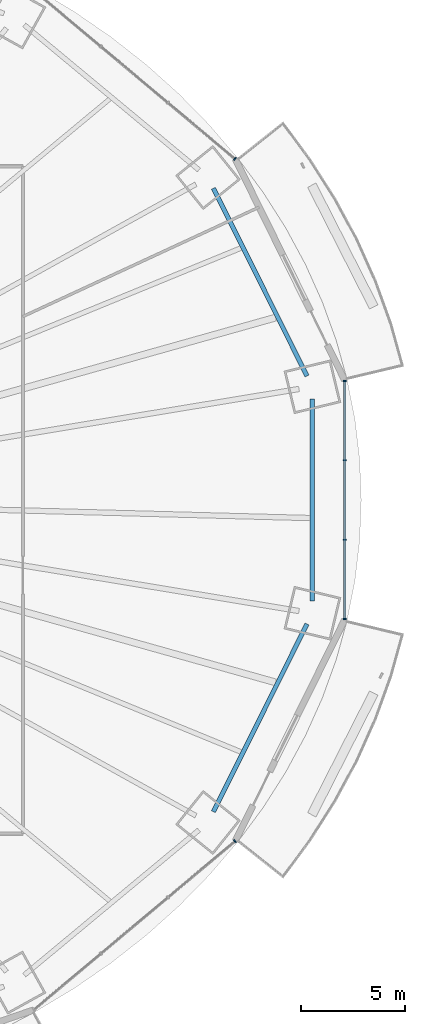
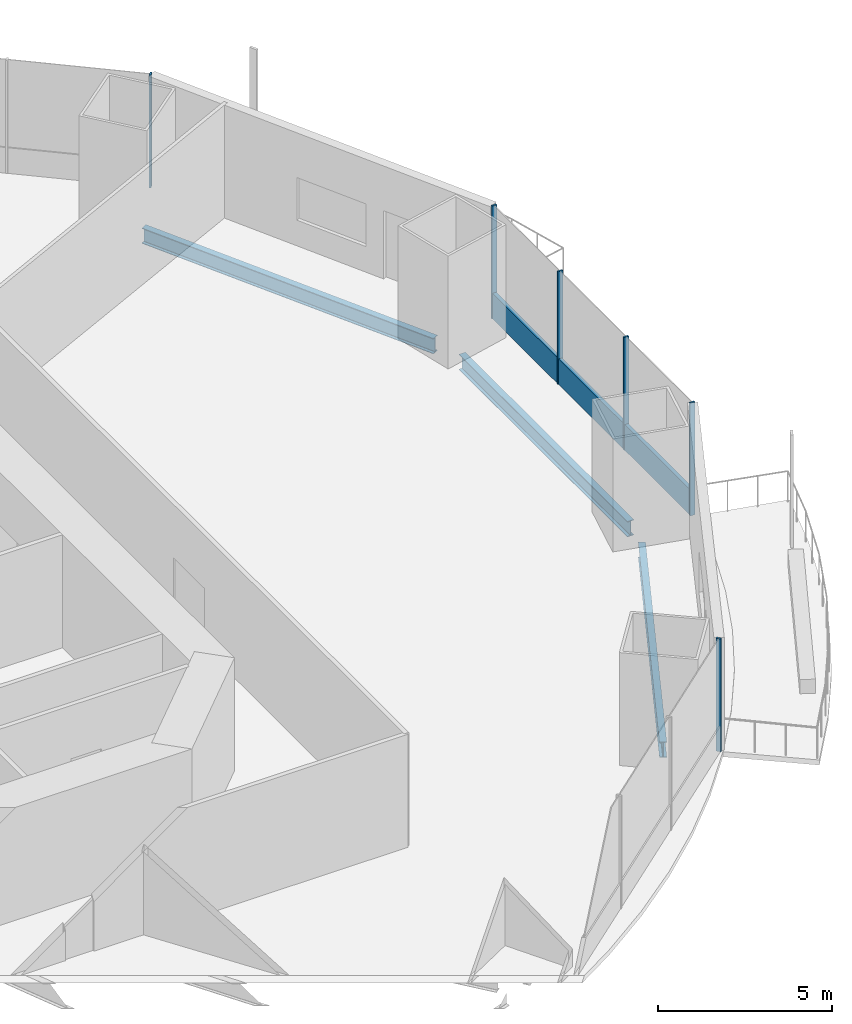
# One storey, part 11 of 22: 7 members, 3 beams, 3 elements without a shape of their own.
"""IFC4 building model written with IfcOpenShell, lengths in metres."""

from ifc_helpers import new_model, si_unit, direction, frame, origin, origin_2d, place, context, subcontext, project, spatial, rectangle, i_section, extrude, material, material_profile, profile_set, type_object, element, aggregate, save


model = new_model("IFC4")

# Units and contexts
model_context = context("Model", 3, precision=1e-05, world=origin(), true_north=direction((0.0, 1.0)))
body_context = subcontext(model_context, "Body", "Model", "MODEL_VIEW")
ifc_project = project(units=[si_unit("LENGTHUNIT", "METRE"), si_unit("AREAUNIT", "SQUARE_METRE"), si_unit("VOLUMEUNIT", "CUBIC_METRE"), si_unit("PLANEANGLEUNIT", "RADIAN"), si_unit("MASSUNIT", "GRAM", prefix="KILO")], contexts=[model_context])

# Site, building, storey
site_placement = place(None, origin())
site = spatial("IfcSite", under=ifc_project, at=site_placement, CompositionType="ELEMENT")
building_placement = place(site_placement, origin())
building = spatial("IfcBuilding", under=site, at=building_placement, Name="Marenthal Gate Tower", CompositionType="ELEMENT")
storey_placement = place(building_placement, frame((0.0, 0.0, 86.949951171875)))
storey = spatial("IfcBuildingStorey", under=building, at=storey_placement, Name="L17", CompositionType="ELEMENT", Elevation=86.949951171875)

# Curtain wall, member
ifc_material_1 = material(Name="Aluminium and glass", Category="aluminium")
curtain_wall_type = type_object("IfcCurtainWallType", Name="Curtain wall typical low", PredefinedType="NOTDEFINED", material=ifc_material_1)
curtain_wall_1_placement = place(storey_placement, origin())
curtain_wall_1 = element("IfcCurtainWall", 1, at=curtain_wall_1_placement, inside=storey, type_object=curtain_wall_type, Name="Curtain wall L17 bay 2", PredefinedType="NOTDEFINED")
ifc_material_2 = material(Name="Aluminium", Category="aluminium")
ifc_material_profile_1 = material_profile(ifc_material_2, rectangle(XDim=0.159912109375, YDim=0.06005859375, at=origin_2d()), Name="60x160 aluminium mullion")
ifc_profile_set_1 = profile_set([ifc_material_profile_1], Name="Aluminium")
member_type_1 = type_object("IfcMemberType", Name="Mullion 60x160 typical low", PredefinedType="MULLION", material=ifc_profile_set_1)
member_1_placement = place(storey_placement, frame((29.170654296875, 16.363037109375, 0.0), z_axis=(0.0, 0.0, 1.0), x_axis=(-0.642228281301, -0.766513427604, 0.0)))
member_1 = element("IfcMember", 2, at=member_1_placement, type_object=member_type_1, Name="Mullion L17 bay 2.1", PredefinedType="MULLION", context=body_context, shape_type="SweptSolid", body=[
    extrude(rectangle(XDim=0.159912109375, YDim=0.06005859375, at=origin_2d()), origin(), (0.0, 0.0, 1.0), 3.969970703125),
])
aggregate(curtain_wall_1, [member_1])

curtain_wall_2_placement = place(storey_placement, origin())
curtain_wall_2 = element("IfcCurtainWall", 3, at=curtain_wall_2_placement, inside=storey, type_object=curtain_wall_type, Name="Curtain wall L17 bay 14", PredefinedType="NOTDEFINED")
member_2_placement = place(storey_placement, frame((29.170654296875, -16.363037109375, 0.0), z_axis=(0.0, 0.0, 1.0), x_axis=(-0.642228281301, 0.766513427604, 0.0)))
member_2 = element("IfcMember", 4, at=member_2_placement, type_object=member_type_1, Name="Mullion L17 bay 14.4", PredefinedType="MULLION", context=body_context, shape_type="SweptSolid", body=[
    extrude(rectangle(XDim=0.159912109375, YDim=0.06005859375, at=origin_2d()), origin(), (0.0, 0.0, 1.0), 3.969970703125),
])
aggregate(curtain_wall_2, [member_2])

# Curtain wall, members
curtain_wall_3_placement = place(storey_placement, origin())
curtain_wall_3 = element("IfcCurtainWall", 5, at=curtain_wall_3_placement, inside=storey, type_object=curtain_wall_type, Name="Curtain wall L17 bay 16", PredefinedType="NOTDEFINED")
member_3_placement = place(storey_placement, frame((34.436279296875, -5.709228515625, 0.0), z_axis=(0.0, 0.0, 1.0), x_axis=(-1.0, 0.0, 0.0)))
member_3 = element("IfcMember", 6, at=member_3_placement, type_object=member_type_1, Name="Mullion L17 bay 16.1", PredefinedType="MULLION", context=body_context, shape_type="SweptSolid", body=[
    extrude(rectangle(XDim=0.159912109375, YDim=0.06005859375, at=origin_2d()), origin(), (0.0, 0.0, 1.0), 3.969970703125),
])
member_4_placement = place(storey_placement, frame((34.436279296875, -1.903076171875, 0.0), z_axis=(0.0, 0.0, 1.0), x_axis=(-1.0, 0.0, 0.0)))
member_4 = element("IfcMember", 7, at=member_4_placement, type_object=member_type_1, Name="Mullion L17 bay 16.2", PredefinedType="MULLION", context=body_context, shape_type="SweptSolid", body=[
    extrude(rectangle(XDim=0.159912109375, YDim=0.06005859375, at=origin_2d()), origin(), (0.0, 0.0, 1.0), 3.969970703125),
])
member_5_placement = place(storey_placement, frame((34.436279296875, 1.903076171875, 0.0), z_axis=(0.0, 0.0, 1.0), x_axis=(-1.0, 0.0, 0.0)))
member_5 = element("IfcMember", 8, at=member_5_placement, type_object=member_type_1, Name="Mullion L17 bay 16.3", PredefinedType="MULLION", context=body_context, shape_type="SweptSolid", body=[
    extrude(rectangle(XDim=0.159912109375, YDim=0.06005859375, at=origin_2d()), origin(), (0.0, 0.0, 1.0), 3.969970703125),
])
member_6_placement = place(storey_placement, frame((34.436279296875, 5.709228515625, 0.0), z_axis=(0.0, 0.0, 1.0), x_axis=(-1.0, 0.0, 0.0)))
member_6 = element("IfcMember", 9, at=member_6_placement, type_object=member_type_1, Name="Mullion L17 bay 16.4", PredefinedType="MULLION", context=body_context, shape_type="SweptSolid", body=[
    extrude(rectangle(XDim=0.159912109375, YDim=0.06005859375, at=origin_2d()), origin(), (0.0, 0.0, 1.0), 3.969970703125),
])
ifc_material_3 = material(Name="Aluminium", Category="aluminium")
ifc_material_profile_2 = material_profile(ifc_material_3, rectangle(XDim=0.1201171875, YDim=0.89990234375, at=origin_2d()), Name="120x900 aluminium transom")
ifc_profile_set_2 = profile_set([ifc_material_profile_2], Name="Aluminium")
member_type_2 = type_object("IfcMemberType", Name="Transom 120x900 typical low", PredefinedType="USERDEFINED", material=ifc_profile_set_2)
member_7_placement = place(storey_placement, frame((34.436279296875, -5.67919921875, 0.449951171875), z_axis=(0.0, 1.0, 0.0), x_axis=(-1.0, 0.0, 0.0)))
member_7 = element("IfcMember", 10, at=member_7_placement, type_object=member_type_2, Name="Transom L17 bay 16", ObjectType="TRANSOM", PredefinedType="USERDEFINED", context=body_context, shape_type="SweptSolid", body=[
    extrude(rectangle(XDim=0.1201171875, YDim=0.89990234375, at=origin_2d()), origin(), (0.0, 0.0, 1.0), 11.3583984375),
])
aggregate(curtain_wall_3, [member_3, member_4, member_5, member_6, member_7])

# Beams
ifc_material_4 = material(Name="Steel S355", Category="steel")
ifc_material_profile_3 = material_profile(ifc_material_4, i_section(OverallWidth=0.2119140625, OverallDepth=0.5439453125, WebThickness=0.01318359375, FlangeThickness=0.021240234375, FilletRadius=0.0126953125, at=origin_2d()), Name="W530X123")
ifc_profile_set_3 = profile_set([ifc_material_profile_3], Name="Steel S355")
beam_type = type_object("IfcBeamType", Name="W530X123 beam", PredefinedType="BEAM", material=ifc_profile_set_3)
for number, where, z_axis, x_axis, name in (
    (11, (32.628662109375, 5.947998046875, -0.451904296875), (-0.446427279823, 0.894819916983, 0.0), (-0.894819916983, -0.446427279823, 0.0), "BM-L17-41"),
    (12, (28.13671875, -14.95166015625, -0.451904296875), (0.446427279823, 0.894819916983, 0.0), (-0.894819916983, 0.446427279823, 0.0), "BM-L17-55"),
):
    element("IfcBeam", number, at=place(storey_placement, frame(where, z_axis=z_axis, x_axis=x_axis)), inside=storey, type_object=beam_type, Name=name, PredefinedType="BEAM", context=body_context, shape_type="SweptSolid", body=[
        extrude(i_section(OverallWidth=0.2119140625, OverallDepth=0.5439453125, WebThickness=0.01318359375, FlangeThickness=0.021240234375, FilletRadius=0.0126953125, at=origin_2d()), origin(), (0.0, 0.0, 1.0), 10.06201171875),
    ])
beam_placement = place(storey_placement, frame((32.88671875, -4.851318359375, -0.451904296875), z_axis=(0.0, 1.0, 0.0), x_axis=(-1.0, 0.0, 0.0)))
element("IfcBeam", 13, at=beam_placement, inside=storey, type_object=beam_type, Name="BM-L17-56", PredefinedType="BEAM", context=body_context, shape_type="SweptSolid", body=[
    extrude(i_section(OverallWidth=0.2119140625, OverallDepth=0.5439453125, WebThickness=0.01318359375, FlangeThickness=0.021240234375, FilletRadius=0.0126953125, at=origin_2d()), origin(), (0.0, 0.0, 1.0), 9.70263671875),
])

save(model, "model.ifc")
